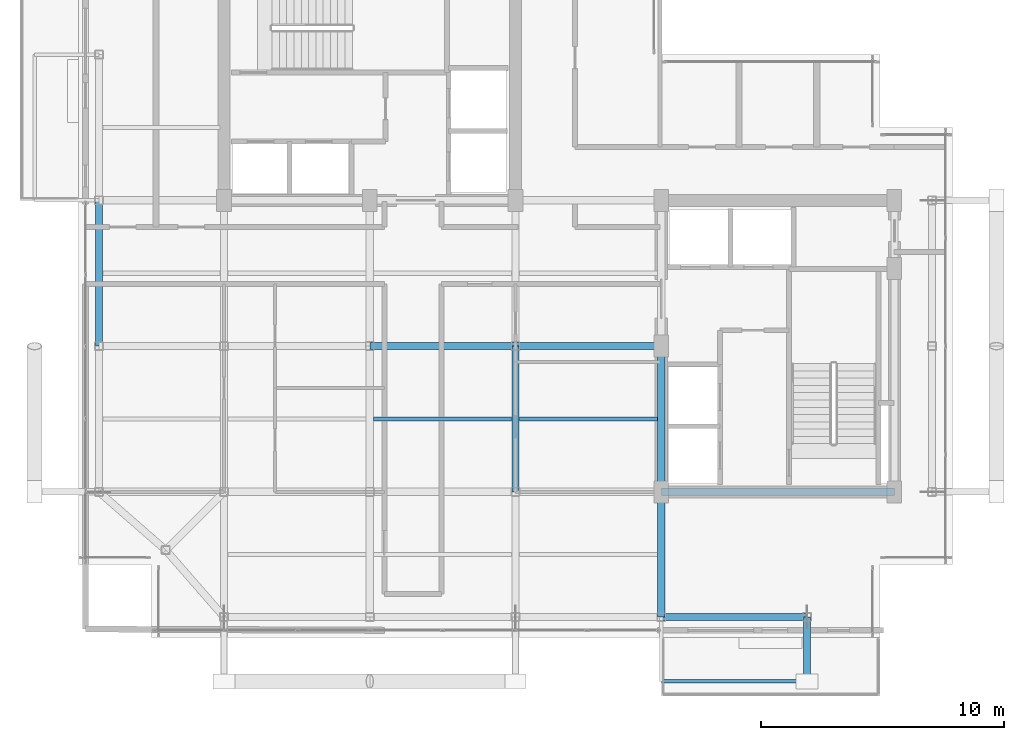
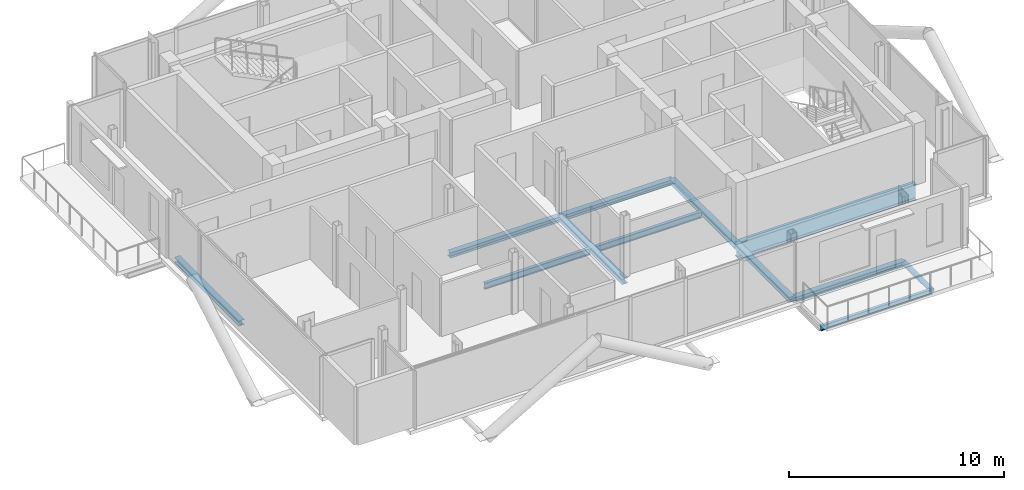
# One storey, part 6 of 19: 11 beams, 1 member.
"""IFC4 building model written with IfcOpenShell, lengths in metres."""

from ifc_helpers import new_model, si_unit, direction, frame, origin, origin_2d, place, context, subcontext, project, spatial, hollow_circle, i_section, extrude, material, material_profile, profile_set, type_object, element, save


model = new_model("IFC4")

# Units and contexts
model_context = context("Model", 3, precision=1e-05, world=origin(), true_north=direction((0.0, 1.0)))
body_context = subcontext(model_context, "Body", "Model", "MODEL_VIEW")
ifc_project = project(units=[si_unit("LENGTHUNIT", "METRE"), si_unit("AREAUNIT", "SQUARE_METRE"), si_unit("VOLUMEUNIT", "CUBIC_METRE"), si_unit("PLANEANGLEUNIT", "RADIAN"), si_unit("MASSUNIT", "GRAM", prefix="KILO"), si_unit("THERMODYNAMICTEMPERATUREUNIT", "KELVIN"), si_unit("POWERUNIT", "WATT")], contexts=[model_context])

# Site, building, storey
site_placement = place(None, origin())
site = spatial("IfcSite", under=ifc_project, at=site_placement, CompositionType="ELEMENT")
building_placement = place(site_placement, origin())
building = spatial("IfcBuilding", under=site, at=building_placement, Name="Svarakhadi Broadcast Tower", CompositionType="ELEMENT")
storey_placement = place(building_placement, frame((0.0, 0.0, 243.199951171875)))
storey = spatial("IfcBuildingStorey", under=building, at=storey_placement, Name="L60", CompositionType="ELEMENT", Elevation=243.199951171875)

# Beams
ifc_material_1 = material(Name="Steel S355J2 (IS 2062 E350C)", Category="steel")
ifc_material_profile_1 = material_profile(ifc_material_1, i_section(OverallWidth=0.169921875, OverallDepth=0.360107421875, WebThickness=0.008056640625, FlangeThickness=0.0126953125, FilletRadius=0.01806640625, at=origin_2d()), Name="NPB 360x170x57")
ifc_profile_set_1 = profile_set([ifc_material_profile_1], Name="Steel S355J2 (IS 2062 E350C)")
beam_type_1 = type_object("IfcBeamType", Name="Beam_NPB360", PredefinedType="BEAM", material=ifc_profile_set_1)
for number, where, z_axis, x_axis, name in (
    (1, (12.159912109375, 9.0, -0.3798828125), (1.0, 0.0, 0.0), (0.0, 1.0, 0.0), "L60 Secondary Composite Beam SB008"),
    (2, (18.159912109375, 9.0, -0.3798828125), (1.0, 0.0, 0.0), (0.0, 1.0, 0.0), "L60 Secondary Composite Beam SB011"),
):
    element("IfcBeam", number, at=place(storey_placement, frame(where, z_axis=z_axis, x_axis=x_axis)), inside=storey, type_object=beam_type_1, Name=name, PredefinedType="BEAM", context=body_context, shape_type="SweptSolid", body=[
        extrude(i_section(OverallWidth=0.169921875, OverallDepth=0.360107421875, WebThickness=0.008056640625, FlangeThickness=0.0126953125, FilletRadius=0.01806640625, at=origin_2d()), origin(), (0.0, 0.0, 1.0), 5.68017578125),
    ])

# Member
ifc_material_2 = material(Name="Steel S460ML (IS 2062 E450BR)", Category="steel")
ifc_material_profile_2 = material_profile(ifc_material_2, hollow_circle(Radius=0.136474609375, WallThickness=0.012451171875, at=origin_2d()), Name="CHS 273x12.5")
ifc_profile_set_2 = profile_set([ifc_material_profile_2], Name="Steel S460ML (IS 2062 E450BR)")
member_type = type_object("IfcMemberType", Name="Exo_Radial_Strut_Z3", PredefinedType="STRUT", material=ifc_profile_set_2)
member_placement = place(storey_placement, frame((30.0, -1.800048828125, -0.33642578125), z_axis=(0.0, 1.0, 0.0), x_axis=(-1.0, 0.0, 0.0)))
element("IfcMember", 3, at=member_placement, inside=storey, type_object=member_type, Name="L60 Exoskeleton Radial Tie Strut S03", PredefinedType="STRUT", context=body_context, shape_type="SweptSolid", body=[
    extrude(hollow_circle(Radius=0.136474609375, WallThickness=0.012451171875, at=origin_2d()), origin(), (0.0, 0.0, 1.0), 2.650146484375),
])

# Beams
ifc_material_profile_3 = material_profile(ifc_material_1, i_section(OverallWidth=0.300048828125, OverallDepth=0.300048828125, WebThickness=0.010986328125, FlangeThickness=0.01904296875, FilletRadius=0.027099609375, at=origin_2d()), Name="WPB 300x300x117")
ifc_profile_set_3 = profile_set([ifc_material_profile_3], Name="Steel S355J2 (IS 2062 E350C)")
beam_type_2 = type_object("IfcBeamType", Name="Girder_WPB300", PredefinedType="USERDEFINED", material=ifc_profile_set_3)
for number, where, z_axis, x_axis, name in (
    (4, (24.0, 0.85009765625, -0.349853515625), (1.0, 0.0, 0.0), (0.0, 1.0, 0.0), "L60 Primary E-W Girder G007"),
    (5, (12.0, 12.0, -0.349853515625), (1.0, 0.0, 0.0), (0.0, 1.0, 0.0), "L60 Primary E-W Girder G015"),
    (6, (18.0, 12.0, -0.349853515625), (1.0, 0.0, 0.0), (0.0, 1.0, 0.0), "L60 Primary E-W Girder G016"),
    (7, (0.85009765625, 12.0, -0.349853515625), (0.0, 1.0, 0.0), (-1.0, 0.0, 0.0), "L60 Primary N-S Girder G027"),
    (8, (18.0, 6.0, -0.349853515625), (0.0, 1.0, 0.0), (-1.0, 0.0, 0.0), "L60 Primary N-S Girder G037"),
):
    element("IfcBeam", number, at=place(storey_placement, frame(where, z_axis=z_axis, x_axis=x_axis)), inside=storey, type_object=beam_type_2, Name=name, ObjectType="GIRDER", PredefinedType="USERDEFINED", context=body_context, shape_type="SweptSolid", body=[
        extrude(i_section(OverallWidth=0.300048828125, OverallDepth=0.300048828125, WebThickness=0.010986328125, FlangeThickness=0.01904296875, FilletRadius=0.027099609375, at=origin_2d()), origin(), (0.0, 0.0, 1.0), 6.0),
    ])
beam_1_placement = place(storey_placement, frame((24.0, 0.85009765625, -0.349853515625), z_axis=(0.0, 1.0, 0.0), x_axis=(-1.0, 0.0, 0.0)))
element("IfcBeam", 9, at=beam_1_placement, inside=storey, type_object=beam_type_2, Name="L60 Primary N-S Girder G040", ObjectType="GIRDER", PredefinedType="USERDEFINED", context=body_context, shape_type="SweptSolid", body=[
    extrude(i_section(OverallWidth=0.300048828125, OverallDepth=0.300048828125, WebThickness=0.010986328125, FlangeThickness=0.01904296875, FilletRadius=0.027099609375, at=origin_2d()), origin(), (0.0, 0.0, 1.0), 5.14990234375),
])
beam_2_placement = place(storey_placement, frame((24.0, 6.0, -0.349853515625), z_axis=(0.0, 1.0, 0.0), x_axis=(-1.0, 0.0, 0.0)))
element("IfcBeam", 10, at=beam_2_placement, inside=storey, type_object=beam_type_2, Name="L60 Primary N-S Girder G041", ObjectType="GIRDER", PredefinedType="USERDEFINED", context=body_context, shape_type="SweptSolid", body=[
    extrude(i_section(OverallWidth=0.300048828125, OverallDepth=0.300048828125, WebThickness=0.010986328125, FlangeThickness=0.01904296875, FilletRadius=0.027099609375, at=origin_2d()), origin(), (0.0, 0.0, 1.0), 6.0),
])
ifc_material_profile_4 = material_profile(ifc_material_2, i_section(OverallWidth=0.300048828125, OverallDepth=0.89990234375, WebThickness=0.0185546875, FlangeThickness=0.034912109375, FilletRadius=0.030029296875, at=origin_2d()), Name="WPB 900x300x291")
ifc_profile_set_4 = profile_set([ifc_material_profile_4], Name="Steel S460ML (IS 2062 E450BR)")
beam_type_3 = type_object("IfcBeamType", Name="Girder_WPB900", PredefinedType="USERDEFINED", material=ifc_profile_set_4)
beam_3_placement = place(storey_placement, frame((24.0, 6.0, -0.64990234375), z_axis=(1.0, 0.0, 0.0), x_axis=(0.0, 1.0, 0.0)))
element("IfcBeam", 11, at=beam_3_placement, inside=storey, type_object=beam_type_3, Name="L60 Primary E-W Girder G012", ObjectType="GIRDER", PredefinedType="USERDEFINED", context=body_context, shape_type="SweptSolid", body=[
    extrude(i_section(OverallWidth=0.300048828125, OverallDepth=0.89990234375, WebThickness=0.0185546875, FlangeThickness=0.034912109375, FilletRadius=0.030029296875, at=origin_2d()), origin(), (0.0, 0.0, 1.0), 9.60009765625),
])
ifc_material_profile_5 = material_profile(ifc_material_1, i_section(OverallWidth=0.14990234375, OverallDepth=0.300048828125, WebThickness=0.007080078125, FlangeThickness=0.0107421875, FilletRadius=0.014892578125, at=origin_2d()), Name="NPB 300x150x37")
ifc_profile_set_5 = profile_set([ifc_material_profile_5], Name="Steel S355J2 (IS 2062 E350C)")
beam_type_4 = type_object("IfcBeamType", Name="Spandrel_NPB300", PredefinedType="SPANDREL", material=ifc_profile_set_5)
beam_4_placement = place(storey_placement, frame((24.0, -1.800048828125, -0.375), z_axis=(1.0, 0.0, 0.0), x_axis=(0.0, 1.0, 0.0)))
element("IfcBeam", 12, at=beam_4_placement, inside=storey, type_object=beam_type_4, Name="L60 Balcony Outer Spandrel 1F", PredefinedType="SPANDREL", context=body_context, shape_type="SweptSolid", body=[
    extrude(i_section(OverallWidth=0.14990234375, OverallDepth=0.300048828125, WebThickness=0.007080078125, FlangeThickness=0.0107421875, FilletRadius=0.014892578125, at=origin_2d()), origin(), (0.0, 0.0, 1.0), 6.0),
])

save(model, "model.ifc")
